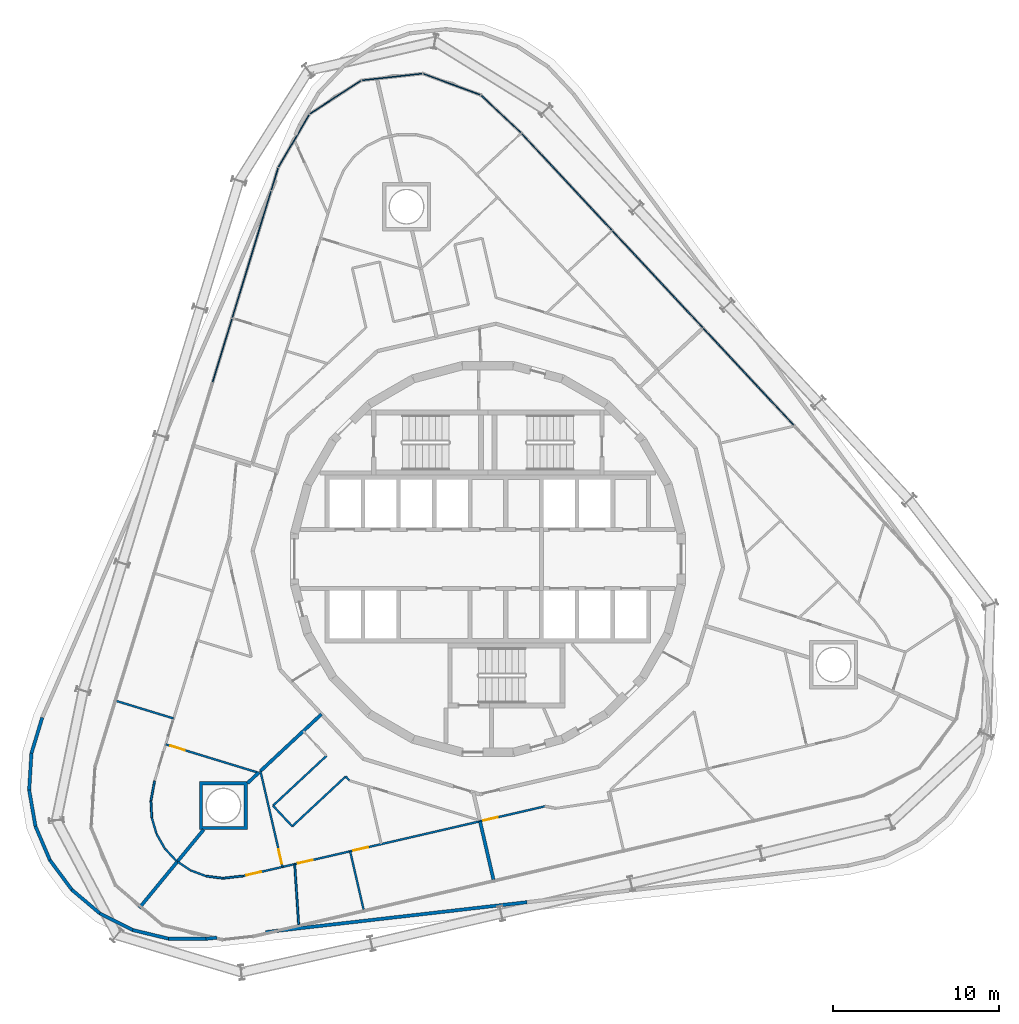
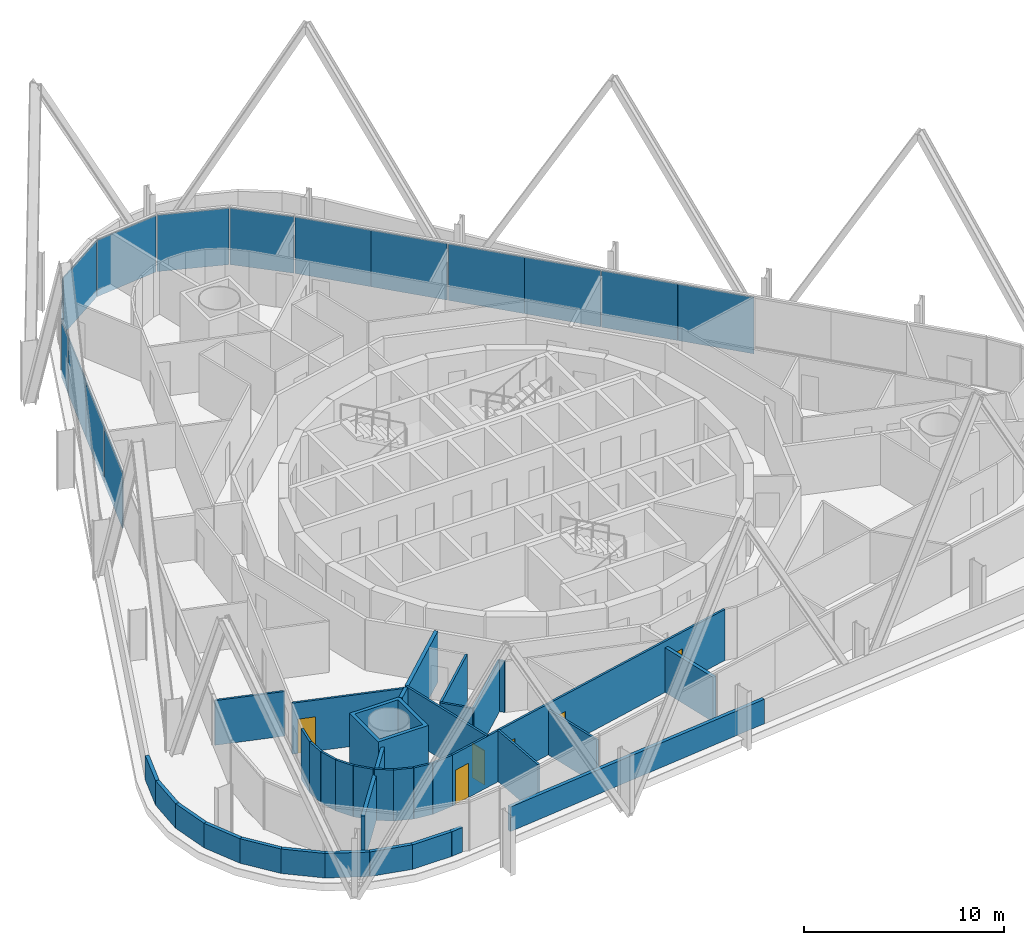
# One storey, part 11 of 18: 35 walls, 15 plates, 6 doors, 6 openings, 3 elements without a shape of their own.
"""IFC4 building model written with IfcOpenShell, lengths in metres."""

import ifcopenshell
import ifcopenshell.guid

model = None  # the IFC model being written
_history = None  # IfcOwnerHistory: only IFC2X3 demands one
_inside = {}  # id of a spatial element -> (the spatial element, [elements in it])
_under = {}  # id of a project, library or spatial element -> (it, [spatial elements below it])
_declared = {}  # id of a project -> (the project, [libraries it declares])
_typed = {}  # id of a type object -> (the type object, [elements of that type])
_made_of = {}  # id of a material, layer set ... -> (it, [elements and type objects made of it])


def new_model(schema):
    """Start an empty IFC model of exactly this schema.

    Asked for "IFC4X3", IfcOpenShell would pick the latest addendum, in which some entities
    have other attributes; the version numbers below select the first issue.
    IFC2X3 requires an IfcOwnerHistory on every rooted entity: one is made here for all.
    """
    global model, _history
    if schema == "IFC4X3":
        model = ifcopenshell.file(schema_version=(4, 3, 0, 0))
    else:
        model = ifcopenshell.file(schema=schema)
    _inside.clear()
    _under.clear()
    _declared.clear()
    _typed.clear()
    _made_of.clear()
    _history = None
    if model.schema == "IFC2X3":
        org = make("IfcOrganization", Name="unknown")
        user = make(
            "IfcPersonAndOrganization",
            ThePerson=make("IfcPerson", FamilyName="unknown"),
            TheOrganization=org,
        )
        app = make(
            "IfcApplication",
            ApplicationDeveloper=org,
            Version="unknown",
            ApplicationFullName="unknown",
            ApplicationIdentifier="unknown",
        )
        _history = make(
            "IfcOwnerHistory",
            OwningUser=user,
            OwningApplication=app,
            ChangeAction="ADDED",
            CreationDate=0,
        )
    return model


def make(cls, **values):
    """One entity of the class cls with the attributes given. An attribute that is None is left unset."""
    return model.create_entity(
        cls, **{name: value for name, value in values.items() if value is not None}
    )


def rooted(cls, **values):
    """An entity with a GlobalId (a new one), such as an element, a storey or a relation."""
    return make(cls, GlobalId=ifcopenshell.guid.new(), OwnerHistory=_history, **values)


def si_unit(unit_type, name, prefix=None):
    """IfcSIUnit, for example si_unit("LENGTHUNIT", "METRE", prefix="MILLI")."""
    return make("IfcSIUnit", UnitType=unit_type, Prefix=prefix, Name=name)


def assignment(units):
    """IfcUnitAssignment: the units of a project."""
    return None if units is None else make("IfcUnitAssignment", Units=units)


def point(xyz):
    """IfcCartesianPoint."""
    return None if xyz is None else make("IfcCartesianPoint", Coordinates=xyz)


def direction(xyz):
    """IfcDirection."""
    return None if xyz is None else make("IfcDirection", DirectionRatios=xyz)


def frame(location, z_axis=None, x_axis=None):
    """IfcAxis2Placement3D, a coordinate frame: its origin and axes. An axis left out is left unset."""
    return make(
        "IfcAxis2Placement3D",
        Location=point(location),
        Axis=direction(z_axis),
        RefDirection=direction(x_axis),
    )


def frame_2d(location, x_axis=None):
    """IfcAxis2Placement2D, a coordinate frame in the plane: its origin and x axis."""
    return make(
        "IfcAxis2Placement2D", Location=point(location), RefDirection=direction(x_axis)
    )


def origin():
    """The frame at (0, 0, 0) with its axes left unset."""
    return frame((0.0, 0.0, 0.0))


def origin_2d():
    """The frame at (0, 0) in the plane with its x axis left unset."""
    return frame_2d((0.0, 0.0))


def place(relative_to, where):
    """IfcLocalPlacement: puts the frame where relative to a parent placement (None: the world)."""
    return make(
        "IfcLocalPlacement", PlacementRelTo=relative_to, RelativePlacement=where
    )


def context(
    kind, dimensions, precision=None, world=None, true_north=None, identifier=None
):
    """IfcGeometricRepresentationContext, for example the 3D "Model" context."""
    return make(
        "IfcGeometricRepresentationContext",
        ContextIdentifier=identifier,
        ContextType=kind,
        CoordinateSpaceDimension=dimensions,
        Precision=precision,
        WorldCoordinateSystem=world,
        TrueNorth=true_north,
    )


def subcontext(parent, identifier, kind, view, scale=None):
    """IfcGeometricRepresentationSubContext, for example "Body" below "Model"."""
    return make(
        "IfcGeometricRepresentationSubContext",
        ContextIdentifier=identifier,
        ContextType=kind,
        ParentContext=parent,
        TargetScale=scale,
        TargetView=view,
    )


def project(units=None, contexts=None):
    """IfcProject with its units and contexts."""
    return rooted(
        "IfcProject",
        Name="project",
        RepresentationContexts=contexts,
        UnitsInContext=assignment(units),
    )


def spatial(cls, under=None, at=None, **own):
    """A site, building, storey or space (cls), placed at a placement, below another one or the project."""
    s = rooted(cls, ObjectPlacement=at, **own)
    if under is not None:
        _under.setdefault(under.id(), (under, []))[1].append(s)
    return s


def polyline(points):
    """IfcPolyline through the points."""
    return make("IfcPolyline", Points=[point(p) for p in points])


def profile(cls, at=None, kind="AREA", **sizes):
    """A parametric profile (cls). Its sizes go by their IFC names, for example OverallWidth=200.0."""
    return make(cls, ProfileType=kind, Position=at, **sizes)


def rectangle(**sizes):
    """IfcRectangleProfileDef."""
    return profile("IfcRectangleProfileDef", **sizes)


def outline(outer, holes=None, kind="AREA"):
    """IfcArbitraryClosedProfileDef: a profile drawn as a closed curve; with holes, ...WithVoids."""
    if holes is None:
        return make("IfcArbitraryClosedProfileDef", ProfileType=kind, OuterCurve=outer)
    return make(
        "IfcArbitraryProfileDefWithVoids",
        ProfileType=kind,
        OuterCurve=outer,
        InnerCurves=holes,
    )


def extrude(swept, where, along, depth):
    """IfcExtrudedAreaSolid: the profile swept, set in the frame where, extruded along a direction by depth."""
    return make(
        "IfcExtrudedAreaSolid",
        SweptArea=swept,
        Position=where,
        ExtrudedDirection=direction(along),
        Depth=depth,
    )


def shape(context_of_items, identifier, shape_type, items):
    """IfcShapeRepresentation: the items that make up one representation, for example the "Body"."""
    return make(
        "IfcShapeRepresentation",
        ContextOfItems=context_of_items,
        RepresentationIdentifier=identifier,
        RepresentationType=shape_type,
        Items=items,
    )


def material(Name=None, Category=None):
    """IfcMaterial."""
    return make("IfcMaterial", Name=Name, Category=Category)


def layer(
    of_material, thickness, ventilated=None, Name=None, Category=None, Priority=None
):
    """IfcMaterialLayer: one layer of a wall or slab, of a material (None: an air gap)."""
    return make(
        "IfcMaterialLayer",
        Material=of_material,
        LayerThickness=thickness,
        IsVentilated=ventilated,
        Name=Name,
        Category=Category,
        Priority=Priority,
    )


def layer_set(layers, Name=None):
    """IfcMaterialLayerSet."""
    return make("IfcMaterialLayerSet", MaterialLayers=layers, LayerSetName=Name)


def made_of(thing, what):
    """Note that an element or type object is made of a material, layer set ...; save() writes the relation."""
    if what is not None:
        _made_of.setdefault(what.id(), (what, []))[1].append(thing)
    return thing


def type_object(cls, material=None, **own):
    """A type object (cls), such as IfcWallType, which elements share."""
    return made_of(rooted(cls, **own), material)


def element(
    cls,
    number,
    at=None,
    inside=None,
    cuts=None,
    type_object=None,
    material=None,
    context=None,
    identifier="Body",
    shape_type=None,
    held_by="IfcProductDefinitionShape",
    body=None,
    shapes=None,
    **own,
):
    """One element of the class cls, such as IfcWall. Its Tag is "e" and its number.

    at: its placement. inside: the storey or other place that contains it. cuts: it is an
    opening in that element (IfcRelVoidsElement). A single representation is given by context,
    identifier, shape_type and body (its items); several are given by shapes. held_by: the class
    of the entity that holds the representations. save() writes the other relations.
    """
    e = rooted(cls, Tag="e%d" % number, ObjectPlacement=at, **own)
    if body is not None:
        shapes = [shape(context, identifier, shape_type, body)]
    if shapes is not None:
        e.Representation = make(held_by, Representations=shapes)
    if inside is not None:
        _inside.setdefault(inside.id(), (inside, []))[1].append(e)
    if cuts is not None:
        rooted(
            "IfcRelVoidsElement", RelatingBuildingElement=cuts, RelatedOpeningElement=e
        )
    if type_object is not None:
        _typed.setdefault(type_object.id(), (type_object, []))[1].append(e)
    return made_of(e, material)


def fill(opening, filler):
    """IfcRelFillsElement: the door or window that sits in an opening."""
    return rooted(
        "IfcRelFillsElement",
        RelatingOpeningElement=opening,
        RelatedBuildingElement=filler,
    )


def aggregate(whole, parts):
    """IfcRelAggregates: a whole, such as a stair, and the parts it consists of."""
    return rooted("IfcRelAggregates", RelatingObject=whole, RelatedObjects=parts)


def save(model, path):
    """Write the relations noted so far, then the file.

    IfcRelAggregates (storeys below a building ...), IfcRelContainedInSpatialStructure (elements
    in a storey), IfcRelDefinesByType, IfcRelAssociatesMaterial and IfcRelDeclares: one each for
    every whole, place, type object, material and project.
    """
    for whole, parts in _under.values():
        aggregate(whole, parts)
    for where, things in _inside.values():
        rooted(
            "IfcRelContainedInSpatialStructure",
            RelatedElements=things,
            RelatingStructure=where,
        )
    for kind, things in _typed.values():
        rooted("IfcRelDefinesByType", RelatedObjects=things, RelatingType=kind)
    for what, things in _made_of.values():
        rooted("IfcRelAssociatesMaterial", RelatedObjects=things, RelatingMaterial=what)
    for by, libraries in _declared.values():
        rooted("IfcRelDeclares", RelatingContext=by, RelatedDefinitions=libraries)
    model.write(path)


model = new_model("IFC4")

# Units and contexts
model_context = context("Model", 3, precision=1e-05, world=origin(), true_north=direction((0.0, 1.0)))
body_context = subcontext(model_context, "Body", "Model", "MODEL_VIEW")
ifc_project = project(units=[si_unit("LENGTHUNIT", "METRE"), si_unit("AREAUNIT", "SQUARE_METRE"), si_unit("VOLUMEUNIT", "CUBIC_METRE"), si_unit("PLANEANGLEUNIT", "RADIAN"), si_unit("MASSUNIT", "GRAM", prefix="KILO")], contexts=[model_context])

# Site, building, storey
site_placement = place(None, origin())
site = spatial("IfcSite", under=ifc_project, at=site_placement, CompositionType="ELEMENT")
building_placement = place(site_placement, origin())
building = spatial("IfcBuilding", under=site, at=building_placement, Name="Spindle Arch Residences", CompositionType="ELEMENT")
storey_placement = place(building_placement, frame((0.0, 0.0, 113.39990234375)))
storey = spatial("IfcBuildingStorey", under=building, at=storey_placement, Name="L27", CompositionType="ELEMENT", Elevation=113.39990234375)

# Curtain wall, plates
ifc_material_1 = material(Name="Aluminium bronze unitised frame with tinted glass", Category="aluminium")
ifc_layer_1 = layer(ifc_material_1, 0.159912109375)
ifc_layer_set_1 = layer_set([ifc_layer_1], Name="CW-C typical residential unitised wall")
curtain_wall_type_1 = type_object("IfcCurtainWallType", Name="CW-C typical residential unitised wall", PredefinedType="NOTDEFINED", material=ifc_layer_set_1)
curtain_wall_1_placement = place(storey_placement, origin())
curtain_wall_1 = element("IfcCurtainWall", 1, at=curtain_wall_1_placement, inside=storey, type_object=curtain_wall_type_1, Name="CW-C L27 run 2", PredefinedType="NOTDEFINED")
ifc_material_2 = material(Name="Tinted double glazing over aluminium faced non-combustible spandrel zone (K0)", Category="aluminium")
ifc_layer_2 = layer(ifc_material_2, 0.06005859375)
ifc_layer_set_2 = layer_set([ifc_layer_2], Name="Unitised glass panel with E 60 spandrel zone")
plate_type = type_object("IfcPlateType", Name="Unitised glass panel with E 60 spandrel zone", PredefinedType="CURTAIN_PANEL", material=ifc_layer_set_2)
plate_1_placement = place(storey_placement, frame((17.05859375, 9.523681640625, -0.44970703125), z_axis=(0.0, 0.0, 1.0), x_axis=(-0.681998360062, 0.731353701619, 0.0)))
plate_1 = element("IfcPlate", 2, at=plate_1_placement, type_object=plate_type, Name="CW-C unit 06A", PredefinedType="CURTAIN_PANEL", context=body_context, shape_type="SweptSolid", body=[
    extrude(rectangle(XDim=3.984619140625, YDim=0.06005859375, at=origin_2d()), origin(), (0.0, 0.0, 1.0), 3.449951171875),
])
plate_2_placement = place(storey_placement, frame((14.341064453125, 12.437744140625, -0.44970703125), z_axis=(0.0, 0.0, 1.0), x_axis=(-0.681998360062, 0.731353701619, 0.0)))
plate_2 = element("IfcPlate", 3, at=plate_2_placement, type_object=plate_type, Name="CW-C unit 06B", PredefinedType="CURTAIN_PANEL", context=body_context, shape_type="SweptSolid", body=[
    extrude(rectangle(XDim=3.984619140625, YDim=0.06005859375, at=origin_2d()), origin(), (0.0, 0.0, 1.0), 3.449951171875),
])
plate_3_placement = place(storey_placement, frame((11.58251953125, 15.395751953125, -0.44970703125), z_axis=(0.0, 0.0, 1.0), x_axis=(-0.681998360062, 0.731353701619, 0.0)))
plate_3 = element("IfcPlate", 4, at=plate_3_placement, type_object=plate_type, Name="CW-C unit 07A", PredefinedType="CURTAIN_PANEL", context=body_context, shape_type="SweptSolid", body=[
    extrude(rectangle(XDim=3.984619140625, YDim=0.06005859375, at=origin_2d()), origin(), (0.0, 0.0, 1.0), 3.449951171875),
])
plate_4_placement = place(storey_placement, frame((8.864990234375, 18.31005859375, -0.44970703125), z_axis=(0.0, 0.0, 1.0), x_axis=(-0.681998360062, 0.731353701619, 0.0)))
plate_4 = element("IfcPlate", 5, at=plate_4_placement, type_object=plate_type, Name="CW-C unit 07B", PredefinedType="CURTAIN_PANEL", context=body_context, shape_type="SweptSolid", body=[
    extrude(rectangle(XDim=3.984619140625, YDim=0.06005859375, at=origin_2d()), origin(), (0.0, 0.0, 1.0), 3.449951171875),
])
plate_5_placement = place(storey_placement, frame((6.106689453125, 21.26806640625, -0.44970703125), z_axis=(0.0, 0.0, 1.0), x_axis=(-0.681998360062, 0.731353701619, 0.0)))
plate_5 = element("IfcPlate", 6, at=plate_5_placement, type_object=plate_type, Name="CW-C unit 08A", PredefinedType="CURTAIN_PANEL", context=body_context, shape_type="SweptSolid", body=[
    extrude(rectangle(XDim=3.984619140625, YDim=0.06005859375, at=origin_2d()), origin(), (0.0, 0.0, 1.0), 3.449951171875),
])
plate_6_placement = place(storey_placement, frame((3.38916015625, 24.18212890625, -0.44970703125), z_axis=(0.0, 0.0, 1.0), x_axis=(-0.681998360062, 0.731353701619, 0.0)))
plate_6 = element("IfcPlate", 7, at=plate_6_placement, type_object=plate_type, Name="CW-C unit 08B", PredefinedType="CURTAIN_PANEL", context=body_context, shape_type="SweptSolid", body=[
    extrude(rectangle(XDim=3.984619140625, YDim=0.06005859375, at=origin_2d()), origin(), (0.0, 0.0, 1.0), 3.449951171875),
])
aggregate(curtain_wall_1, [plate_1, plate_2, plate_3, plate_4, plate_5, plate_6])

ifc_material_3 = material(Name="Aluminium bronze unitised frame with tinted glass", Category="aluminium")
ifc_layer_3 = layer(ifc_material_3, 0.159912109375)
ifc_layer_set_3 = layer_set([ifc_layer_3], Name="CW-D corner wall on the fillet arcs")
curtain_wall_type_2 = type_object("IfcCurtainWallType", Name="CW-D corner wall on the fillet arcs", PredefinedType="NOTDEFINED", material=ifc_layer_set_3)
curtain_wall_2_placement = place(storey_placement, origin())
curtain_wall_2 = element("IfcCurtainWall", 8, at=curtain_wall_2_placement, inside=storey, type_object=curtain_wall_type_2, Name="CW-D L27 run 3", PredefinedType="NOTDEFINED")
plate_7_placement = place(storey_placement, frame((0.794677734375, 26.8046875, -0.44970703125), z_axis=(0.0, 0.0, 1.0), x_axis=(-0.728270412102, 0.685289870681, 0.0)))
plate_7 = element("IfcPlate", 9, at=plate_7_placement, type_object=plate_type, Name="CW-D unit 00", PredefinedType="CURTAIN_PANEL", context=body_context, shape_type="SweptSolid", body=[
    extrude(rectangle(XDim=3.277587890625, YDim=0.06005859375, at=origin_2d()), origin(), (0.0, 0.0, 1.0), 3.449951171875),
])
plate_8_placement = place(storey_placement, frame((-2.16796875, 28.595703125, -0.44970703125), z_axis=(0.0, 0.0, 1.0), x_axis=(-0.937686936403, 0.347481235896, 0.0)))
plate_8 = element("IfcPlate", 10, at=plate_8_placement, type_object=plate_type, Name="CW-D unit 01", PredefinedType="CURTAIN_PANEL", context=body_context, shape_type="SweptSolid", body=[
    extrude(rectangle(XDim=3.666748046875, YDim=0.06005859375, at=origin_2d()), origin(), (0.0, 0.0, 1.0), 3.449951171875),
])
plate_9_placement = place(storey_placement, frame((-5.76708984375, 29.037841796875, -0.44970703125), z_axis=(0.0, 0.0, 1.0), x_axis=(-0.993896946294, -0.110312556619, 0.0)))
plate_9 = element("IfcPlate", 11, at=plate_9_placement, type_object=plate_type, Name="CW-D unit 02", PredefinedType="CURTAIN_PANEL", context=body_context, shape_type="SweptSolid", body=[
    extrude(rectangle(XDim=3.666748046875, YDim=0.06005859375, at=origin_2d()), origin(), (0.0, 0.0, 1.0), 3.449951171875),
])
plate_10_placement = place(storey_placement, frame((-9.181884765625, 27.8173828125, -0.44970703125), z_axis=(0.0, 0.0, 1.0), x_axis=(-0.838670567755, -0.544639035308, 0.0)))
plate_10 = element("IfcPlate", 12, at=plate_10_placement, type_object=plate_type, Name="CW-D unit 03", PredefinedType="CURTAIN_PANEL", context=body_context, shape_type="SweptSolid", body=[
    extrude(rectangle(XDim=3.666748046875, YDim=0.06005859375, at=origin_2d()), origin(), (0.0, 0.0, 1.0), 3.449951171875),
])
plate_11_placement = place(storey_placement, frame((-11.685791015625, 25.194091796875, -0.44970703125), z_axis=(0.0, 0.0, 1.0), x_axis=(-0.505029844161, -0.863101880723, 0.0)))
plate_11 = element("IfcPlate", 13, at=plate_11_placement, type_object=plate_type, Name="CW-D unit 04", PredefinedType="CURTAIN_PANEL", context=body_context, shape_type="SweptSolid", body=[
    extrude(rectangle(XDim=3.666748046875, YDim=0.06005859375, at=origin_2d()), origin(), (0.0, 0.0, 1.0), 3.449951171875),
])
plate_12_placement = place(storey_placement, frame((-12.84130859375, 22.884521484375, -0.44970703125), z_axis=(0.0, 0.0, 1.0), x_axis=(-0.292371704723, -0.956304755963, 0.0)))
plate_12 = element("IfcPlate", 14, at=plate_12_placement, type_object=plate_type, Name="CW-D unit 05", PredefinedType="CURTAIN_PANEL", context=body_context, shape_type="SweptSolid", body=[
    extrude(rectangle(XDim=1.406982421875, YDim=0.06005859375, at=origin_2d()), origin(), (0.0, 0.0, 1.0), 3.449951171875),
])
aggregate(curtain_wall_2, [plate_7, plate_8, plate_9, plate_10, plate_11, plate_12])

curtain_wall_3_placement = place(storey_placement, origin())
curtain_wall_3 = element("IfcCurtainWall", 15, at=curtain_wall_3_placement, inside=storey, type_object=curtain_wall_type_1, Name="CW-C L27 run 4", PredefinedType="NOTDEFINED")
plate_13_placement = place(storey_placement, frame((-13.64697265625, 20.2490234375, -0.44970703125), z_axis=(0.0, 0.0, 1.0), x_axis=(-0.292371704723, -0.956304755963, 0.0)))
plate_13 = element("IfcPlate", 16, at=plate_13_placement, type_object=plate_type, Name="CW-C unit 12A", PredefinedType="CURTAIN_PANEL", context=body_context, shape_type="SweptSolid", body=[
    extrude(rectangle(XDim=3.984619140625, YDim=0.06005859375, at=origin_2d()), origin(), (0.0, 0.0, 1.0), 3.449951171875),
])
plate_14_placement = place(storey_placement, frame((-14.81201171875, 16.4384765625, -0.44970703125), z_axis=(0.0, 0.0, 1.0), x_axis=(-0.292371704723, -0.956304755963, 0.0)))
plate_14 = element("IfcPlate", 17, at=plate_14_placement, type_object=plate_type, Name="CW-C unit 12B", PredefinedType="CURTAIN_PANEL", context=body_context, shape_type="SweptSolid", body=[
    extrude(rectangle(XDim=3.984619140625, YDim=0.06005859375, at=origin_2d()), origin(), (0.0, 0.0, 1.0), 3.449951171875),
])
plate_15_placement = place(storey_placement, frame((-15.994384765625, 12.57080078125, -0.44970703125), z_axis=(0.0, 0.0, 1.0), x_axis=(-0.292371704723, -0.956304755963, 0.0)))
plate_15 = element("IfcPlate", 18, at=plate_15_placement, type_object=plate_type, Name="CW-C unit 13A", PredefinedType="CURTAIN_PANEL", context=body_context, shape_type="SweptSolid", body=[
    extrude(rectangle(XDim=3.984619140625, YDim=0.06005859375, at=origin_2d()), origin(), (0.0, 0.0, 1.0), 3.449951171875),
])
aggregate(curtain_wall_3, [plate_13, plate_14, plate_15])

# Wall, opening, door
ifc_material_4 = material(Name="Plasterboard on steel studs", Category="steel")
ifc_layer_4 = layer(ifc_material_4, 0.1201171875)
ifc_layer_set_4 = layer_set([ifc_layer_4], Name="Flat partition 120")
wall_type_1 = type_object("IfcWallType", Name="Flat partition 120", PredefinedType="PARTITIONING", material=ifc_layer_set_4)
wall_1_placement = place(storey_placement, frame((-19.403564453125, -11.1669921875, 0.0), z_axis=(0.0, 0.0, 1.0), x_axis=(0.956314306829, -0.292340463423, 0.0)))
wall_1 = element("IfcWall", 19, at=wall_1_placement, inside=storey, type_object=wall_type_1, Name="Flat partition R3A0-W079", PredefinedType="PARTITIONING", context=body_context, shape_type="SweptSolid", body=[
    extrude(rectangle(XDim=5.85009765625, YDim=0.1201171875, at=frame_2d((2.925048828125, 0.0))), origin(), (0.0, 0.0, 1.0), 3.1201171875),
])
opening_1_placement = place(wall_1_placement, frame((0.300048828125, 0.0, 0.0)))
opening_1 = element("IfcOpeningElement", 20, at=opening_1_placement, cuts=wall_1, Name="Opening R3A0-ID20", PredefinedType="OPENING", context=body_context, shape_type="SweptSolid", body=[
    extrude(rectangle(XDim=0.89990234375, YDim=2.10009765625, at=frame_2d((0.449951171875, 1.050048828125))), frame((0.0, 0.070068359375, 0.0), z_axis=(0.0, -1.0, 0.0), x_axis=(1.0, 0.0, 0.0)), (0.0, 0.0, 1.0), 0.14013671875),
])
ifc_material_5 = material(Name="Timber door set", Category="wood")
door_type = type_object("IfcDoorType", Name="Room door 900x2100", OperationType="NOTDEFINED", PredefinedType="DOOR", material=ifc_material_5)
door_1_placement = place(opening_1_placement, origin())
door_1 = element("IfcDoor", 21, at=door_1_placement, inside=storey, type_object=door_type, Name="Room door R3A0-ID20", OperationType="SINGLE_SWING_RIGHT", OverallHeight=2.10009765625, OverallWidth=0.89990234375, PredefinedType="DOOR", context=body_context, shape_type="SweptSolid", body=[
    extrude(rectangle(XDim=0.89990234375, YDim=2.10009765625, at=frame_2d((0.449951171875, 1.050048828125))), frame((0.0, 0.02490234375, 0.0), z_axis=(0.0, -1.0, 0.0), x_axis=(1.0, 0.0, 0.0)), (0.0, 0.0, 1.0), 0.050048828125),
])
fill(opening_1, door_1)

# Walls
for number, where, z_axis, x_axis, name in (
    (22, (-18.76220703125, -18.1904296875, 0.0), (0.0, 0.0, 1.0), (-0.682044196941, 0.731310955353, 0.0), "Flat partition R3A0-W083"),
    (23, (-19.455078125, -17.447509765625, 0.0), (0.0, 0.0, 1.0), (-0.494818454809, 0.868996373284, 0.0), "Flat partition R3A0-W084"),
    (24, (-19.957763671875, -16.564697265625, 0.0), (0.0, 0.0, 1.0), (-0.281411609627, 0.959587153919, 0.0), "Flat partition R3A0-W085"),
):
    element("IfcWall", number, at=place(storey_placement, frame(where, z_axis=z_axis, x_axis=x_axis)), inside=storey, type_object=wall_type_1, Name=name, PredefinedType="PARTITIONING", context=body_context, shape_type="SweptSolid", body=[
        extrude(rectangle(XDim=1.015869140625, YDim=0.1201171875, at=frame_2d((0.5078125, 0.0))), origin(), (0.0, 0.0, 1.0), 3.1201171875),
    ])
wall_2_placement = place(storey_placement, frame((-20.24365234375, -15.58984375, 0.0), z_axis=(0.0, 0.0, 1.0), x_axis=(-0.052142637988, 0.998639647372, 0.0)))
element("IfcWall", 25, at=wall_2_placement, inside=storey, type_object=wall_type_1, Name="Flat partition R3A0-W086", PredefinedType="PARTITIONING", context=body_context, shape_type="SweptSolid", body=[
    extrude(rectangle(XDim=1.01611328125, YDim=0.1201171875, at=frame_2d((0.508056640625, 0.0))), origin(), (0.0, 0.0, 1.0), 3.1201171875),
])
wall_3_placement = place(storey_placement, frame((-20.296630859375, -14.5751953125, 0.0), z_axis=(0.0, 0.0, 1.0), x_axis=(0.179288174895, 0.983796600087, 0.0)))
element("IfcWall", 26, at=wall_3_placement, inside=storey, type_object=wall_type_1, Name="Flat partition R3A0-W087", PredefinedType="PARTITIONING", context=body_context, shape_type="SweptSolid", body=[
    extrude(rectangle(XDim=1.226806640625, YDim=0.1201171875, at=frame_2d((0.61328125, 0.0))), origin(), (0.0, 0.0, 1.0), 3.1201171875),
])
wall_4_placement = place(storey_placement, frame((-9.724365234375, -11.859375, 0.0), z_axis=(0.0, 0.0, 1.0), x_axis=(-0.731365154613, -0.681986078023, 0.0)))
element("IfcWall", 27, at=wall_4_placement, inside=storey, type_object=wall_type_1, Name="Flat partition R3A0-W089", PredefinedType="PARTITIONING", context=body_context, shape_type="SweptSolid", body=[
    extrude(rectangle(XDim=4.400390625, YDim=0.1201171875, at=frame_2d((2.2001953125, 0.0))), origin(), (0.0, 0.0, 1.0), 3.1201171875),
])
wall_5_placement = place(storey_placement, frame((-12.942626953125, -14.8603515625, 0.0), z_axis=(0.0, 0.0, 1.0), x_axis=(0.682046998737, -0.731308342297, 0.0)))
element("IfcWall", 28, at=wall_5_placement, inside=storey, type_object=wall_type_1, Name="Flat partition R3A0-W090", PredefinedType="PARTITIONING", context=body_context, shape_type="SweptSolid", body=[
    extrude(rectangle(XDim=1.699951171875, YDim=0.1201171875, at=frame_2d((0.85009765625, 0.0))), origin(), (0.0, 0.0, 1.0), 3.1201171875),
])
wall_6_placement = place(storey_placement, frame((-11.783203125, -16.103515625, 0.0), z_axis=(0.0, 0.0, 1.0), x_axis=(0.731365154613, 0.681986078023, 0.0)))
element("IfcWall", 29, at=wall_6_placement, inside=storey, type_object=wall_type_1, Name="Flat partition R3A0-W091", PredefinedType="PARTITIONING", context=body_context, shape_type="SweptSolid", body=[
    extrude(rectangle(XDim=4.400390625, YDim=0.1201171875, at=frame_2d((2.2001953125, 0.0))), origin(), (0.0, 0.0, 1.0), 3.1201171875),
])
wall_7_placement = place(storey_placement, frame((-8.56494140625, -13.1025390625, 0.0), z_axis=(0.0, 0.0, 1.0), x_axis=(0.681636048219, -0.731691395172, 0.0)))
element("IfcWall", 30, at=wall_7_placement, inside=storey, type_object=wall_type_1, Name="Flat partition R3A0-W092", PredefinedType="PARTITIONING", context=body_context, shape_type="SweptSolid", body=[
    extrude(rectangle(XDim=0.33154296875, YDim=0.1201171875, at=frame_2d((0.165771484375, 0.0))), origin(), (0.0, 0.0, 1.0), 3.1201171875),
])
wall_8_placement = place(storey_placement, frame((-18.703125, -18.22998046875, 0.0), z_axis=(0.0, 0.0, 1.0), x_axis=(0.832328473933, -0.554282699965, 0.0)))
element("IfcWall", 31, at=wall_8_placement, inside=storey, type_object=wall_type_1, Name="Flat partition R3A0-W094", PredefinedType="PARTITIONING", context=body_context, shape_type="SweptSolid", body=[
    extrude(rectangle(XDim=0.94482421875, YDim=0.1201171875, at=frame_2d((0.472412109375, 0.0))), origin(), (0.0, 0.0, 1.0), 3.1201171875),
])
wall_9_placement = place(storey_placement, frame((-17.916748046875, -18.753662109375, 0.0), z_axis=(0.0, 0.0, 1.0), x_axis=(0.937684971769, -0.347486537462, 0.0)))
element("IfcWall", 32, at=wall_9_placement, inside=storey, type_object=wall_type_1, Name="Flat partition R3A0-W095", PredefinedType="PARTITIONING", context=body_context, shape_type="SweptSolid", body=[
    extrude(rectangle(XDim=1.015869140625, YDim=0.1201171875, at=frame_2d((0.5078125, 0.0))), origin(), (0.0, 0.0, 1.0), 3.1201171875),
])
wall_10_placement = place(storey_placement, frame((-16.964111328125, -19.106689453125, 0.0), z_axis=(0.0, 0.0, 1.0), x_axis=(0.992523553766, -0.122053247474, 0.0)))
element("IfcWall", 33, at=wall_10_placement, inside=storey, type_object=wall_type_1, Name="Flat partition R3A0-W096", PredefinedType="PARTITIONING", context=body_context, shape_type="SweptSolid", body=[
    extrude(rectangle(XDim=1.01611328125, YDim=0.1201171875, at=frame_2d((0.508056640625, 0.0))), origin(), (0.0, 0.0, 1.0), 3.1201171875),
])
wall_11_placement = place(storey_placement, frame((-15.95556640625, -19.230712890625, 0.0), z_axis=(0.0, 0.0, 1.0), x_axis=(0.993883734674, 0.110431526075, 0.0)))
element("IfcWall", 34, at=wall_11_placement, inside=storey, type_object=wall_type_1, Name="Flat partition R3A0-W097", PredefinedType="PARTITIONING", context=body_context, shape_type="SweptSolid", body=[
    extrude(rectangle(XDim=1.22705078125, YDim=0.1201171875, at=frame_2d((0.613525390625, 0.0))), origin(), (0.0, 0.0, 1.0), 3.1201171875),
])

# Wall, openings, doors
wall_12_placement = place(storey_placement, frame((-14.736083984375, -19.09521484375, 0.0), z_axis=(0.0, 0.0, 1.0), x_axis=(0.974369132722, 0.224955091516, 0.0)))
wall_12 = element("IfcWall", 35, at=wall_12_placement, inside=storey, type_object=wall_type_1, Name="Flat partition R3A0-W098", PredefinedType="PARTITIONING", context=body_context, shape_type="SweptSolid", body=[
    extrude(rectangle(XDim=18.65380859375, YDim=0.1201171875, at=frame_2d((9.326904296875, 0.0))), origin(), (0.0, 0.0, 1.0), 3.1201171875),
])
opening_2_placement = place(wall_12_placement, frame((3.383056640625, 0.0, 0.0)))
opening_2 = element("IfcOpeningElement", 36, at=opening_2_placement, cuts=wall_12, Name="Opening R3A0-ID24", PredefinedType="OPENING", context=body_context, shape_type="SweptSolid", body=[
    extrude(rectangle(XDim=0.89990234375, YDim=2.10009765625, at=frame_2d((0.449951171875, 1.050048828125))), frame((0.0, 0.070068359375, 0.0), z_axis=(0.0, -1.0, 0.0), x_axis=(1.0, 0.0, 0.0)), (0.0, 0.0, 1.0), 0.14013671875),
])
opening_3_placement = place(wall_12_placement, frame((6.81005859375, 0.0, 0.0)))
opening_3 = element("IfcOpeningElement", 37, at=opening_3_placement, cuts=wall_12, Name="Opening R3A0-ID25", PredefinedType="OPENING", context=body_context, shape_type="SweptSolid", body=[
    extrude(rectangle(XDim=0.89990234375, YDim=2.10009765625, at=frame_2d((0.449951171875, 1.050048828125))), frame((0.0, 0.070068359375, 0.0), z_axis=(0.0, -1.0, 0.0), x_axis=(1.0, 0.0, 0.0)), (0.0, 0.0, 1.0), 0.14013671875),
])
opening_4_placement = place(wall_12_placement, frame((0.199951171875, 0.0, 0.0)))
opening_4 = element("IfcOpeningElement", 38, at=opening_4_placement, cuts=wall_12, Name="Opening R3A0-ID26", PredefinedType="OPENING", context=body_context, shape_type="SweptSolid", body=[
    extrude(rectangle(XDim=0.89990234375, YDim=2.10009765625, at=frame_2d((0.449951171875, 1.050048828125))), frame((0.0, 0.070068359375, 0.0), z_axis=(0.0, -1.0, 0.0), x_axis=(1.0, 0.0, 0.0)), (0.0, 0.0, 1.0), 0.14013671875),
])
opening_5_placement = place(wall_12_placement, frame((14.83935546875, 0.0, 0.0)))
opening_5 = element("IfcOpeningElement", 39, at=opening_5_placement, cuts=wall_12, Name="Opening R3A0-ID27", PredefinedType="OPENING", context=body_context, shape_type="SweptSolid", body=[
    extrude(rectangle(XDim=0.89990234375, YDim=2.10009765625, at=frame_2d((0.449951171875, 1.050048828125))), frame((0.0, 0.070068359375, 0.0), z_axis=(0.0, -1.0, 0.0), x_axis=(1.0, 0.0, 0.0)), (0.0, 0.0, 1.0), 0.14013671875),
])
door_2_placement = place(opening_2_placement, origin())
door_2 = element("IfcDoor", 40, at=door_2_placement, inside=storey, type_object=door_type, Name="Room door R3A0-ID24", OperationType="SINGLE_SWING_LEFT", OverallHeight=2.10009765625, OverallWidth=0.89990234375, PredefinedType="DOOR", context=body_context, shape_type="SweptSolid", body=[
    extrude(rectangle(XDim=0.89990234375, YDim=2.10009765625, at=frame_2d((0.449951171875, 1.050048828125))), frame((0.0, 0.02490234375, 0.0), z_axis=(0.0, -1.0, 0.0), x_axis=(1.0, 0.0, 0.0)), (0.0, 0.0, 1.0), 0.050048828125),
])
fill(opening_2, door_2)
door_3_placement = place(opening_3_placement, origin())
door_3 = element("IfcDoor", 41, at=door_3_placement, inside=storey, type_object=door_type, Name="Room door R3A0-ID25", OperationType="SINGLE_SWING_LEFT", OverallHeight=2.10009765625, OverallWidth=0.89990234375, PredefinedType="DOOR", context=body_context, shape_type="SweptSolid", body=[
    extrude(rectangle(XDim=0.89990234375, YDim=2.10009765625, at=frame_2d((0.449951171875, 1.050048828125))), frame((0.0, 0.02490234375, 0.0), z_axis=(0.0, -1.0, 0.0), x_axis=(1.0, 0.0, 0.0)), (0.0, 0.0, 1.0), 0.050048828125),
])
fill(opening_3, door_3)
door_4_placement = place(opening_4_placement, origin())
door_4 = element("IfcDoor", 42, at=door_4_placement, inside=storey, type_object=door_type, Name="Room door R3A0-ID26", OperationType="SINGLE_SWING_RIGHT", OverallHeight=2.10009765625, OverallWidth=0.89990234375, PredefinedType="DOOR", context=body_context, shape_type="SweptSolid", body=[
    extrude(rectangle(XDim=0.89990234375, YDim=2.10009765625, at=frame_2d((0.449951171875, 1.050048828125))), frame((0.0, 0.02490234375, 0.0), z_axis=(0.0, -1.0, 0.0), x_axis=(1.0, 0.0, 0.0)), (0.0, 0.0, 1.0), 0.050048828125),
])
fill(opening_4, door_4)
door_5_placement = place(opening_5_placement, origin())
door_5 = element("IfcDoor", 43, at=door_5_placement, inside=storey, type_object=door_type, Name="Room door R3A0-ID27", OperationType="SINGLE_SWING_LEFT", OverallHeight=2.10009765625, OverallWidth=0.89990234375, PredefinedType="DOOR", context=body_context, shape_type="SweptSolid", body=[
    extrude(rectangle(XDim=0.89990234375, YDim=2.10009765625, at=frame_2d((0.449951171875, 1.050048828125))), frame((0.0, 0.02490234375, 0.0), z_axis=(0.0, -1.0, 0.0), x_axis=(1.0, 0.0, 0.0)), (0.0, 0.0, 1.0), 0.050048828125),
])
fill(opening_5, door_5)

# Wall, opening, door
wall_13_placement = place(storey_placement, frame((-12.36572265625, -18.548095703125, 0.0), z_axis=(0.0, 0.0, 1.0), x_axis=(-0.224958805164, 0.974368275335, 0.0)))
wall_13 = element("IfcWall", 44, at=wall_13_placement, inside=storey, type_object=wall_type_1, Name="Flat partition R3A0-W099", PredefinedType="PARTITIONING", context=body_context, shape_type="SweptSolid", body=[
    extrude(rectangle(XDim=5.925537109375, YDim=0.1201171875, at=frame_2d((2.962890625, 0.0))), origin(), (0.0, 0.0, 1.0), 3.1201171875),
])
opening_6_placement = place(wall_13_placement, frame((0.199951171875, 0.0, 0.0)))
opening_6 = element("IfcOpeningElement", 45, at=opening_6_placement, cuts=wall_13, Name="Opening R3A0-ID23", PredefinedType="OPENING", context=body_context, shape_type="SweptSolid", body=[
    extrude(rectangle(XDim=0.89990234375, YDim=2.10009765625, at=frame_2d((0.449951171875, 1.050048828125))), frame((0.0, 0.070068359375, 0.0), z_axis=(0.0, -1.0, 0.0), x_axis=(1.0, 0.0, 0.0)), (0.0, 0.0, 1.0), 0.14013671875),
])
door_6_placement = place(opening_6_placement, origin())
door_6 = element("IfcDoor", 46, at=door_6_placement, inside=storey, type_object=door_type, Name="Room door R3A0-ID23", OperationType="SINGLE_SWING_LEFT", OverallHeight=2.10009765625, OverallWidth=0.89990234375, PredefinedType="DOOR", context=body_context, shape_type="SweptSolid", body=[
    extrude(rectangle(XDim=0.89990234375, YDim=2.10009765625, at=frame_2d((0.449951171875, 1.050048828125))), frame((0.0, 0.02490234375, 0.0), z_axis=(0.0, -1.0, 0.0), x_axis=(1.0, 0.0, 0.0)), (0.0, 0.0, 1.0), 0.050048828125),
])
fill(opening_6, door_6)

# Walls
wall_14_placement = place(storey_placement, frame((-11.397216796875, -22.01904296875, 0.0), z_axis=(0.0, 0.0, 1.0), x_axis=(-0.065124052048, 0.997877175731, 0.0)))
element("IfcWall", 47, at=wall_14_placement, inside=storey, type_object=wall_type_1, Name="Flat partition R3A0-W100", PredefinedType="PARTITIONING", context=body_context, shape_type="SweptSolid", body=[
    extrude(rectangle(XDim=3.647705078125, YDim=0.1201171875, at=frame_2d((1.82373046875, 0.0))), origin(), (0.0, 0.0, 1.0), 3.1201171875),
])
ifc_material_6 = material(Name="Plasterboard on steel studs", Category="steel")
ifc_layer_5 = layer(ifc_material_6, 0.1201171875)
ifc_layer_set_5 = layer_set([ifc_layer_5], Name="Flat partition 120 under beam 2730")
wall_type_2 = type_object("IfcWallType", Name="Flat partition 120 under beam 2730", PredefinedType="PARTITIONING", material=ifc_layer_set_5)
wall_15_placement = place(storey_placement, frame((-22.369140625, -8.5537109375, 0.0), z_axis=(0.0, 0.0, 1.0), x_axis=(0.956306810244, -0.292364985388, 0.0)))
element("IfcWall", 48, at=wall_15_placement, inside=storey, type_object=wall_type_2, Name="Flat partition R3A0-W082", PredefinedType="PARTITIONING", context=body_context, shape_type="SweptSolid", body=[
    extrude(rectangle(XDim=3.599853515625, YDim=0.1201171875, at=frame_2d((1.7998046875, 0.0))), origin(), (0.0, 0.0, 1.0), 2.72998046875),
])
wall_16_placement = place(storey_placement, frame((-7.485595703125, -21.115966796875, 0.0), z_axis=(0.0, 0.0, 1.0), x_axis=(-0.224943703639, 0.9743717618, 0.0)))
element("IfcWall", 49, at=wall_16_placement, inside=storey, type_object=wall_type_2, Name="Flat partition R3A0-W102", PredefinedType="PARTITIONING", context=body_context, shape_type="SweptSolid", body=[
    extrude(rectangle(XDim=3.60009765625, YDim=0.1201171875, at=frame_2d((1.800048828125, 0.0))), origin(), (0.0, 0.0, 1.0), 2.72998046875),
])
ifc_material_7 = material(Name="Calcium silicate block, plastered")
ifc_layer_6 = layer(ifc_material_7, 0.199951171875)
ifc_layer_set_6 = layer_set([ifc_layer_6], Name="Flat party wall 200")
wall_type_3 = type_object("IfcWallType", Name="Flat party wall 200", PredefinedType="STANDARD", material=ifc_layer_set_6)
wall_17_placement = place(storey_placement, frame((-13.69873046875, -12.7744140625, 0.0), z_axis=(0.0, 0.0, 1.0), x_axis=(0.731353758457, 0.681998299111, 0.0)))
element("IfcWall", 50, at=wall_17_placement, inside=storey, type_object=wall_type_3, Name="Flat party wall R3A0-W025", PredefinedType="STANDARD", context=body_context, shape_type="SweptSolid", body=[
    extrude(rectangle(XDim=5.03076171875, YDim=0.199951171875, at=frame_2d((2.515380859375, 0.0))), origin(), (0.0, 0.0, 1.0), 3.1201171875),
])
wall_18_placement = place(storey_placement, frame((-14.480224609375, -13.5029296875, 0.0), z_axis=(0.0, 0.0, 1.0), x_axis=(0.73152991834, 0.681809341806, 0.0)))
element("IfcWall", 51, at=wall_18_placement, inside=storey, type_object=wall_type_3, Name="Flat party wall R3A0-W027", PredefinedType="STANDARD", context=body_context, shape_type="SweptSolid", body=[
    extrude(rectangle(XDim=0.95751953125, YDim=0.199951171875, at=frame_2d((0.478759765625, 0.0))), origin(), (0.0, 0.0, 1.0), 3.1201171875),
])
ifc_material_8 = material(Name="Calcium silicate block, plastered")
ifc_layer_7 = layer(ifc_material_8, 0.199951171875)
ifc_layer_set_7 = layer_set([ifc_layer_7], Name="Flat party wall 200 under beam 2730")
wall_type_4 = type_object("IfcWallType", Name="Flat party wall 200 under beam 2730", PredefinedType="STANDARD", material=ifc_layer_set_7)
wall_19_placement = place(storey_placement, frame((-21.0, -21.025390625, 0.0), z_axis=(0.0, 0.0, 1.0), x_axis=(0.634846795952, 0.772638043116, 0.0)))
element("IfcWall", 52, at=wall_19_placement, inside=storey, type_object=wall_type_4, Name="Flat party wall R3A0-W026", PredefinedType="STANDARD", context=body_context, shape_type="SweptSolid", body=[
    extrude(rectangle(XDim=6.109130859375, YDim=0.199951171875, at=frame_2d((3.0546875, 0.0))), origin(), (0.0, 0.0, 1.0), 2.72998046875),
])
wall_20_placement = place(storey_placement, frame((0.337890625, -19.309814453125, 0.0), z_axis=(0.0, 0.0, 1.0), x_axis=(-0.224943703639, 0.9743717618, 0.0)))
element("IfcWall", 53, at=wall_20_placement, inside=storey, type_object=wall_type_4, Name="Flat party wall R3A0-W029", PredefinedType="STANDARD", context=body_context, shape_type="SweptSolid", body=[
    extrude(rectangle(XDim=3.60009765625, YDim=0.199951171875, at=frame_2d((1.800048828125, 0.0))), origin(), (0.0, 0.0, 1.0), 2.72998046875),
])
ifc_material_9 = material(Name="Calcium silicate block, plastered")
ifc_layer_8 = layer(ifc_material_9, 0.199951171875)
ifc_layer_set_8 = layer_set([ifc_layer_8], Name="Mega-column casing wall 200")
wall_type_5 = type_object("IfcWallType", Name="Mega-column casing wall 200", PredefinedType="STANDARD", material=ifc_layer_set_8)
wall_21_placement = place(storey_placement, origin())
element("IfcWall", 54, at=wall_21_placement, inside=storey, type_object=wall_type_5, Name="Mega-column casing wall R3A0-WC02", PredefinedType="STANDARD", context=body_context, shape_type="SweptSolid", body=[
    extrude(outline(polyline([(-14.480224609375, -13.4052734375), (-14.480224609375, -16.30517578125), (-17.380126953125, -16.30517578125), (-17.380126953125, -13.4052734375), (-14.480224609375, -13.4052734375)]), holes=[polyline([(-17.18017578125, -16.105224609375), (-14.68017578125, -16.105224609375), (-14.68017578125, -13.605224609375), (-17.18017578125, -13.605224609375), (-17.18017578125, -16.105224609375)])]), origin(), (0.0, 0.0, 1.0), 3.1201171875),
])
ifc_material_10 = material(Name="Concrete C40/50", Category="concrete")
ifc_layer_9 = layer(ifc_material_10, 0.199951171875)
ifc_layer_set_9 = layer_set([ifc_layer_9], Name="Roof parapet 1500")
wall_type_6 = type_object("IfcWallType", Name="Roof parapet 1500", PredefinedType="PARAPET", material=ifc_layer_set_9)
wall_22_placement = place(storey_placement, frame((2.35546875, -20.673828125, 0.030029296875), z_axis=(0.0, 0.0, 1.0), x_axis=(-0.993501379632, -0.11382007147, 0.0)))
element("IfcWall", 55, at=wall_22_placement, inside=storey, type_object=wall_type_6, Name="Roof parapet L26 1.1", PredefinedType="PARAPET", context=body_context, shape_type="SweptSolid", body=[
    extrude(rectangle(XDim=15.83642578125, YDim=0.199951171875, at=frame_2d((7.918212890625, 0.0))), origin(), (0.0, 0.0, 1.0), 1.5),
])
wall_23_placement = place(storey_placement, frame((-16.326416015625, -22.81201171875, 0.030029296875), z_axis=(0.0, 0.0, 1.0), x_axis=(-0.99511679477, -0.09870443134, 0.0)))
element("IfcWall", 56, at=wall_23_placement, inside=storey, type_object=wall_type_6, Name="Roof parapet L26 2.1", PredefinedType="PARAPET", context=body_context, shape_type="SweptSolid", body=[
    extrude(rectangle(XDim=0.665283203125, YDim=0.199951171875, at=frame_2d((0.33251953125, 0.0))), origin(), (0.0, 0.0, 1.0), 1.5),
])
wall_24_placement = place(storey_placement, frame((-16.9833984375, -22.87744140625, 0.030029296875), z_axis=(0.0, 0.0, 1.0), x_axis=(-0.999995735374, 0.002920485111, 0.0)))
element("IfcWall", 57, at=wall_24_placement, inside=storey, type_object=wall_type_6, Name="Roof parapet L26 2.2", PredefinedType="PARAPET", context=body_context, shape_type="SweptSolid", body=[
    extrude(rectangle(XDim=2.257080078125, YDim=0.199951171875, at=frame_2d((1.12841796875, 0.0))), origin(), (0.0, 0.0, 1.0), 1.5),
])
wall_25_placement = place(storey_placement, frame((-19.22900390625, -22.872314453125, 0.030029296875), z_axis=(0.0, 0.0, 1.0), x_axis=(-0.972356460367, 0.233501421799, 0.0)))
element("IfcWall", 58, at=wall_25_placement, inside=storey, type_object=wall_type_6, Name="Roof parapet L26 2.3", PredefinedType="PARAPET", context=body_context, shape_type="SweptSolid", body=[
    extrude(rectangle(XDim=2.22802734375, YDim=0.199951171875, at=frame_2d((1.114013671875, 0.0))), origin(), (0.0, 0.0, 1.0), 1.5),
])
for number, where, z_axis, x_axis, name in (
    (59, (-21.384765625, -22.356201171875, 0.030029296875), (0.0, 0.0, 1.0), (-0.892313608927, 0.451416020233, 0.0), "Roof parapet L26 2.4"),
    (60, (-23.36328125, -21.356689453125, 0.030029296875), (0.0, 0.0, 1.0), (-0.764191912749, 0.644988930517, 0.0), "Roof parapet L26 2.5"),
    (61, (-25.05810546875, -19.927978515625, 0.030029296875), (0.0, 0.0, 1.0), (-0.59481610288, 0.803861806379, 0.0), "Roof parapet L26 2.6"),
    (62, (-26.377685546875, -18.14697265625, 0.030029296875), (0.0, 0.0, 1.0), (-0.393443210406, 0.919348921893, 0.0), "Roof parapet L26 2.7"),
    (63, (-27.2509765625, -16.109619140625, 0.030029296875), (0.0, 0.0, 1.0), (-0.170809415264, 0.985304086898, 0.0), "Roof parapet L26 2.8"),
):
    element("IfcWall", number, at=place(storey_placement, frame(where, z_axis=z_axis, x_axis=x_axis)), inside=storey, type_object=wall_type_6, Name=name, PredefinedType="PARAPET", context=body_context, shape_type="SweptSolid", body=[
        extrude(rectangle(XDim=2.228271484375, YDim=0.199951171875, at=frame_2d((1.1142578125, 0.0))), origin(), (0.0, 0.0, 1.0), 1.5),
    ])
wall_26_placement = place(storey_placement, frame((-27.630859375, -13.925537109375, 0.030029296875), z_axis=(0.0, 0.0, 1.0), x_axis=(0.061034314117, 0.998135668384, 0.0)))
element("IfcWall", 64, at=wall_26_placement, inside=storey, type_object=wall_type_6, Name="Roof parapet L26 2.9", PredefinedType="PARAPET", context=body_context, shape_type="SweptSolid", body=[
    extrude(rectangle(XDim=2.22802734375, YDim=0.199951171875, at=frame_2d((1.114013671875, 0.0))), origin(), (0.0, 0.0, 1.0), 1.5),
])
wall_27_placement = place(storey_placement, frame((-27.496826171875, -11.712890625, 0.030029296875), z_axis=(0.0, 0.0, 1.0), x_axis=(0.289530077801, 0.957168916152, 0.0)))
element("IfcWall", 65, at=wall_27_placement, inside=storey, type_object=wall_type_6, Name="Roof parapet L26 2.10", PredefinedType="PARAPET", context=body_context, shape_type="SweptSolid", body=[
    extrude(rectangle(XDim=2.25732421875, YDim=0.199951171875, at=frame_2d((1.128662109375, 0.0))), origin(), (0.0, 0.0, 1.0), 1.5),
])

save(model, "model.ifc")
